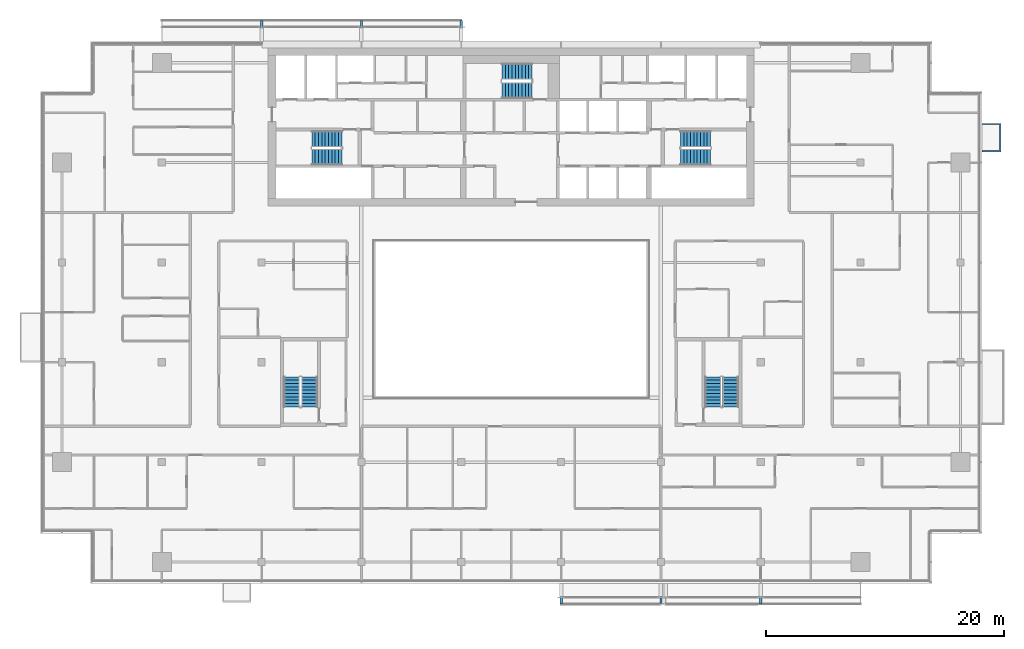
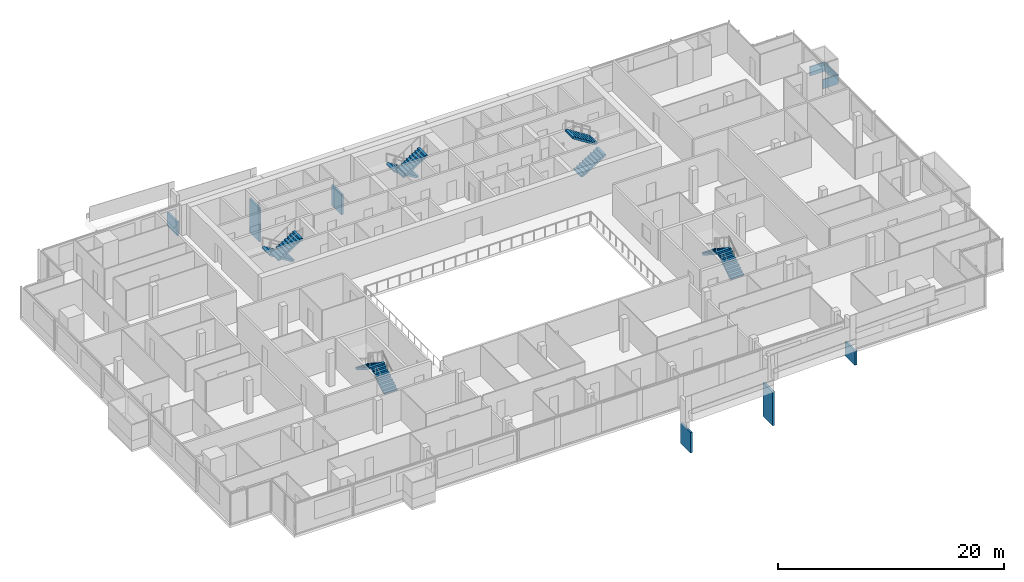
# One storey, part 24 of 27: 10 stair flights, 6 discrete accessories, 1 wall, 5 elements without a shape of their own.
"""IFC4 building model written with IfcOpenShell, lengths in metres."""

from ifc_helpers import new_model, si_unit, direction, frame, origin, origin_2d, place, context, subcontext, project, spatial, polyline, rectangle, outline, extrude, material, layer, layer_set, type_object, element, aggregate, save


model = new_model("IFC4")

# Units and contexts
model_context = context("Model", 3, precision=1e-05, world=origin(), true_north=direction((0.0, 1.0)))
body_context = subcontext(model_context, "Body", "Model", "MODEL_VIEW")
ifc_project = project(units=[si_unit("LENGTHUNIT", "METRE"), si_unit("AREAUNIT", "SQUARE_METRE"), si_unit("VOLUMEUNIT", "CUBIC_METRE"), si_unit("PLANEANGLEUNIT", "RADIAN"), si_unit("MASSUNIT", "GRAM", prefix="KILO")], contexts=[model_context])

# Site, building, storey
site_placement = place(None, origin())
site = spatial("IfcSite", under=ifc_project, at=site_placement, CompositionType="ELEMENT")
building_placement = place(site_placement, origin())
building = spatial("IfcBuilding", under=site, at=building_placement, Name="Saffron Gate Tower", CompositionType="ELEMENT")
storey_placement = place(building_placement, frame((0.0, 0.0, 234.300048828125)))
storey = spatial("IfcBuildingStorey", under=building, at=storey_placement, Name="L57", CompositionType="ELEMENT", Elevation=234.300048828125)

# Wall
ifc_material_1 = material(Name="Rendered insulated panel, white")
ifc_layer = layer(ifc_material_1, 0.10009765625)
ifc_layer_set = layer_set([ifc_layer], Name="WB3 box parapet white")
wall_type = type_object("IfcWallType", Name="WB3 box parapet white", PredefinedType="SOLIDWALL", material=ifc_layer_set)
wall_placement = place(storey_placement, origin())
element("IfcWall", 1, at=wall_placement, inside=storey, type_object=wall_type, Name="WINDOW BOX parapet", PredefinedType="SOLIDWALL", context=body_context, shape_type="SweptSolid", body=[
    extrude(outline(polyline([(127.199951171875, 66.300048828125), (127.199951171875, 66.39990234375), (128.699951171875, 66.39990234375), (128.699951171875, 68.60009765625), (127.199951171875, 68.60009765625), (127.199951171875, 68.699951171875), (128.800048828125, 68.699951171875), (128.800048828125, 66.300048828125), (127.199951171875, 66.300048828125)])), origin(), (0.0, 0.0, 1.0), 1.0),
])

# Stair, stair flights
ifc_material_2 = material(Name="Concrete C40", Category="concrete")
stair_type = type_object("IfcStairType", Name="ST7 Stair 1350 wide, 20 risers of 180", PredefinedType="HALF_TURN_STAIR", material=ifc_material_2)
stair_1_placement = place(storey_placement, origin())
stair_1 = element("IfcStair", 2, at=stair_1_placement, inside=storey, type_object=stair_type, Name="L57 Exit stair A", PredefinedType="HALF_TURN_STAIR")
stair_flight_type = type_object("IfcStairFlightType", Name="SF3 Stair flight 1350 wide, riser 180 going 280", PredefinedType="STRAIGHT", material=ifc_material_2)
stair_flight_1_placement = place(storey_placement, frame((73.35009765625, 67.375, 0.0), z_axis=(0.0, 0.0, 1.0), x_axis=(-1.0, 0.0, 0.0)))
stair_flight_1 = element("IfcStairFlight", 3, at=stair_flight_1_placement, type_object=stair_flight_type, Name="ST-A flight 1", NumberOfRisers=10, NumberOfTreads=9, PredefinedType="STRAIGHT", RiserHeight=0.18, TreadLength=0.28, context=body_context, shape_type="SweptSolid", body=[
    extrude(outline(polyline([(0.0, 0.0), (0.0, 0.179931640625), (0.280029296875, 0.179931640625), (0.280029296875, 0.360107421875), (0.56005859375, 0.360107421875), (0.56005859375, 0.5400390625), (0.840087890625, 0.5400390625), (0.840087890625, 0.719970703125), (1.1201171875, 0.719970703125), (1.1201171875, 0.89990234375), (1.39990234375, 0.89990234375), (1.39990234375, 1.080078125), (1.679931640625, 1.080078125), (1.679931640625, 1.260009765625), (1.9599609375, 1.260009765625), (1.9599609375, 1.43994140625), (2.239990234375, 1.43994140625), (2.239990234375, 1.6201171875), (2.52001953125, 1.6201171875), (2.52001953125, 1.800048828125), (2.52001953125, 1.44189453125), (0.277099609375, 0.0), (0.0, 0.0)])), frame((0.0, 0.675048828125, 0.0), z_axis=(0.0, -1.0, 0.0), x_axis=(1.0, 0.0, 0.0)), (0.0, 0.0, 1.0), 1.35009765625),
])
stair_flight_2_placement = place(storey_placement, frame((70.830078125, 65.875, 1.800048828125), z_axis=(0.0, 0.0, 1.0), x_axis=(1.0, 0.0, 0.0)))
stair_flight_2 = element("IfcStairFlight", 4, at=stair_flight_2_placement, type_object=stair_flight_type, Name="ST-A flight 2", NumberOfRisers=10, NumberOfTreads=9, PredefinedType="STRAIGHT", RiserHeight=0.18, TreadLength=0.28, context=body_context, shape_type="SweptSolid", body=[
    extrude(outline(polyline([(0.0, 0.0), (0.0, 0.179931640625), (0.280029296875, 0.179931640625), (0.280029296875, 0.360107421875), (0.56005859375, 0.360107421875), (0.56005859375, 0.5400390625), (0.840087890625, 0.5400390625), (0.840087890625, 0.719970703125), (1.1201171875, 0.719970703125), (1.1201171875, 0.89990234375), (1.39990234375, 0.89990234375), (1.39990234375, 1.080078125), (1.679931640625, 1.080078125), (1.679931640625, 1.260009765625), (1.9599609375, 1.260009765625), (1.9599609375, 1.43994140625), (2.239990234375, 1.43994140625), (2.239990234375, 1.6201171875), (2.52001953125, 1.6201171875), (2.52001953125, 1.800048828125), (2.52001953125, 1.44189453125), (0.277099609375, 0.0), (0.0, 0.0)])), frame((0.0, 0.675048828125, 0.0), z_axis=(0.0, -1.0, 0.0), x_axis=(1.0, 0.0, 0.0)), (0.0, 0.0, 1.0), 1.35009765625),
])
aggregate(stair_1, [stair_flight_1, stair_flight_2])

stair_2_placement = place(storey_placement, origin())
stair_2 = element("IfcStair", 5, at=stair_2_placement, inside=storey, type_object=stair_type, Name="L57 Exit stair B", PredefinedType="HALF_TURN_STAIR")
stair_flight_3_placement = place(storey_placement, frame((101.85009765625, 65.875, 0.0), z_axis=(0.0, 0.0, 1.0), x_axis=(1.0, 0.0, 0.0)))
stair_flight_3 = element("IfcStairFlight", 6, at=stair_flight_3_placement, type_object=stair_flight_type, Name="ST-B flight 1", NumberOfRisers=10, NumberOfTreads=9, PredefinedType="STRAIGHT", RiserHeight=0.18, TreadLength=0.28, context=body_context, shape_type="SweptSolid", body=[
    extrude(outline(polyline([(0.0, 0.0), (0.0, 0.179931640625), (0.280029296875, 0.179931640625), (0.280029296875, 0.360107421875), (0.56005859375, 0.360107421875), (0.56005859375, 0.5400390625), (0.840087890625, 0.5400390625), (0.840087890625, 0.719970703125), (1.1201171875, 0.719970703125), (1.1201171875, 0.89990234375), (1.39990234375, 0.89990234375), (1.39990234375, 1.080078125), (1.679931640625, 1.080078125), (1.679931640625, 1.260009765625), (1.9599609375, 1.260009765625), (1.9599609375, 1.43994140625), (2.239990234375, 1.43994140625), (2.239990234375, 1.6201171875), (2.52001953125, 1.6201171875), (2.52001953125, 1.800048828125), (2.52001953125, 1.44189453125), (0.277099609375, 0.0), (0.0, 0.0)])), frame((0.0, 0.675048828125, 0.0), z_axis=(0.0, -1.0, 0.0), x_axis=(1.0, 0.0, 0.0)), (0.0, 0.0, 1.0), 1.35009765625),
])
stair_flight_4_placement = place(storey_placement, frame((104.3701171875, 67.375, 1.800048828125), z_axis=(0.0, 0.0, 1.0), x_axis=(-1.0, 0.0, 0.0)))
stair_flight_4 = element("IfcStairFlight", 7, at=stair_flight_4_placement, type_object=stair_flight_type, Name="ST-B flight 2", NumberOfRisers=10, NumberOfTreads=9, PredefinedType="STRAIGHT", RiserHeight=0.18, TreadLength=0.28, context=body_context, shape_type="SweptSolid", body=[
    extrude(outline(polyline([(0.0, 0.0), (0.0, 0.179931640625), (0.280029296875, 0.179931640625), (0.280029296875, 0.360107421875), (0.56005859375, 0.360107421875), (0.56005859375, 0.5400390625), (0.840087890625, 0.5400390625), (0.840087890625, 0.719970703125), (1.1201171875, 0.719970703125), (1.1201171875, 0.89990234375), (1.39990234375, 0.89990234375), (1.39990234375, 1.080078125), (1.679931640625, 1.080078125), (1.679931640625, 1.260009765625), (1.9599609375, 1.260009765625), (1.9599609375, 1.43994140625), (2.239990234375, 1.43994140625), (2.239990234375, 1.6201171875), (2.52001953125, 1.6201171875), (2.52001953125, 1.800048828125), (2.52001953125, 1.44189453125), (0.277099609375, 0.0), (0.0, 0.0)])), frame((0.0, 0.675048828125, 0.0), z_axis=(0.0, -1.0, 0.0), x_axis=(1.0, 0.0, 0.0)), (0.0, 0.0, 1.0), 1.35009765625),
])
aggregate(stair_2, [stair_flight_3, stair_flight_4])

stair_3_placement = place(storey_placement, origin())
stair_3 = element("IfcStair", 8, at=stair_3_placement, inside=storey, type_object=stair_type, Name="L57 Exit stair C", PredefinedType="HALF_TURN_STAIR")
stair_flight_5_placement = place(storey_placement, frame((89.35009765625, 73.074951171875, 0.0), z_axis=(0.0, 0.0, 1.0), x_axis=(-1.0, 0.0, 0.0)))
stair_flight_5 = element("IfcStairFlight", 9, at=stair_flight_5_placement, type_object=stair_flight_type, Name="ST-C flight 1", NumberOfRisers=10, NumberOfTreads=9, PredefinedType="STRAIGHT", RiserHeight=0.18, TreadLength=0.28, context=body_context, shape_type="SweptSolid", body=[
    extrude(outline(polyline([(0.0, 0.0), (0.0, 0.179931640625), (0.280029296875, 0.179931640625), (0.280029296875, 0.360107421875), (0.56005859375, 0.360107421875), (0.56005859375, 0.5400390625), (0.840087890625, 0.5400390625), (0.840087890625, 0.719970703125), (1.1201171875, 0.719970703125), (1.1201171875, 0.89990234375), (1.39990234375, 0.89990234375), (1.39990234375, 1.080078125), (1.679931640625, 1.080078125), (1.679931640625, 1.260009765625), (1.9599609375, 1.260009765625), (1.9599609375, 1.43994140625), (2.239990234375, 1.43994140625), (2.239990234375, 1.6201171875), (2.52001953125, 1.6201171875), (2.52001953125, 1.800048828125), (2.52001953125, 1.44189453125), (0.277099609375, 0.0), (0.0, 0.0)])), frame((0.0, 0.675048828125, 0.0), z_axis=(0.0, -1.0, 0.0), x_axis=(1.0, 0.0, 0.0)), (0.0, 0.0, 1.0), 1.35009765625),
])
stair_flight_6_placement = place(storey_placement, frame((86.830078125, 71.47509765625, 1.800048828125), z_axis=(0.0, 0.0, 1.0), x_axis=(1.0, 0.0, 0.0)))
stair_flight_6 = element("IfcStairFlight", 10, at=stair_flight_6_placement, type_object=stair_flight_type, Name="ST-C flight 2", NumberOfRisers=10, NumberOfTreads=9, PredefinedType="STRAIGHT", RiserHeight=0.18, TreadLength=0.28, context=body_context, shape_type="SweptSolid", body=[
    extrude(outline(polyline([(0.0, 0.0), (0.0, 0.179931640625), (0.280029296875, 0.179931640625), (0.280029296875, 0.360107421875), (0.56005859375, 0.360107421875), (0.56005859375, 0.5400390625), (0.840087890625, 0.5400390625), (0.840087890625, 0.719970703125), (1.1201171875, 0.719970703125), (1.1201171875, 0.89990234375), (1.39990234375, 0.89990234375), (1.39990234375, 1.080078125), (1.679931640625, 1.080078125), (1.679931640625, 1.260009765625), (1.9599609375, 1.260009765625), (1.9599609375, 1.43994140625), (2.239990234375, 1.43994140625), (2.239990234375, 1.6201171875), (2.52001953125, 1.6201171875), (2.52001953125, 1.800048828125), (2.52001953125, 1.44189453125), (0.277099609375, 0.0), (0.0, 0.0)])), frame((0.0, 0.675048828125, 0.0), z_axis=(0.0, -1.0, 0.0), x_axis=(1.0, 0.0, 0.0)), (0.0, 0.0, 1.0), 1.35009765625),
])
aggregate(stair_3, [stair_flight_5, stair_flight_6])

stair_4_placement = place(storey_placement, origin())
stair_4 = element("IfcStair", 11, at=stair_4_placement, inside=storey, type_object=stair_type, Name="L57 Exit stair D", PredefinedType="HALF_TURN_STAIR")
stair_flight_7_placement = place(storey_placement, frame((70.625, 44.85009765625, 0.0), z_axis=(0.0, 0.0, 1.0), x_axis=(0.0, 1.0, 0.0)))
stair_flight_7 = element("IfcStairFlight", 12, at=stair_flight_7_placement, type_object=stair_flight_type, Name="ST-D flight 1", NumberOfRisers=10, NumberOfTreads=9, PredefinedType="STRAIGHT", RiserHeight=0.18, TreadLength=0.28, context=body_context, shape_type="SweptSolid", body=[
    extrude(outline(polyline([(0.0, 0.0), (0.0, 0.179931640625), (0.280029296875, 0.179931640625), (0.280029296875, 0.360107421875), (0.56005859375, 0.360107421875), (0.56005859375, 0.5400390625), (0.840087890625, 0.5400390625), (0.840087890625, 0.719970703125), (1.1201171875, 0.719970703125), (1.1201171875, 0.89990234375), (1.39990234375, 0.89990234375), (1.39990234375, 1.080078125), (1.679931640625, 1.080078125), (1.679931640625, 1.260009765625), (1.9599609375, 1.260009765625), (1.9599609375, 1.43994140625), (2.239990234375, 1.43994140625), (2.239990234375, 1.6201171875), (2.52001953125, 1.6201171875), (2.52001953125, 1.800048828125), (2.52001953125, 1.44189453125), (0.277099609375, 0.0), (0.0, 0.0)])), frame((0.0, 0.675048828125, 0.0), z_axis=(0.0, -1.0, 0.0), x_axis=(1.0, 0.0, 0.0)), (0.0, 0.0, 1.0), 1.35009765625),
])
stair_flight_8_placement = place(storey_placement, frame((69.125, 47.3701171875, 1.800048828125), z_axis=(0.0, 0.0, 1.0), x_axis=(0.0, -1.0, 0.0)))
stair_flight_8 = element("IfcStairFlight", 13, at=stair_flight_8_placement, type_object=stair_flight_type, Name="ST-D flight 2", NumberOfRisers=10, NumberOfTreads=9, PredefinedType="STRAIGHT", RiserHeight=0.18, TreadLength=0.28, context=body_context, shape_type="SweptSolid", body=[
    extrude(outline(polyline([(0.0, 0.0), (0.0, 0.179931640625), (0.280029296875, 0.179931640625), (0.280029296875, 0.360107421875), (0.56005859375, 0.360107421875), (0.56005859375, 0.5400390625), (0.840087890625, 0.5400390625), (0.840087890625, 0.719970703125), (1.1201171875, 0.719970703125), (1.1201171875, 0.89990234375), (1.39990234375, 0.89990234375), (1.39990234375, 1.080078125), (1.679931640625, 1.080078125), (1.679931640625, 1.260009765625), (1.9599609375, 1.260009765625), (1.9599609375, 1.43994140625), (2.239990234375, 1.43994140625), (2.239990234375, 1.6201171875), (2.52001953125, 1.6201171875), (2.52001953125, 1.800048828125), (2.52001953125, 1.44189453125), (0.277099609375, 0.0), (0.0, 0.0)])), frame((0.0, 0.675048828125, 0.0), z_axis=(0.0, -1.0, 0.0), x_axis=(1.0, 0.0, 0.0)), (0.0, 0.0, 1.0), 1.35009765625),
])
aggregate(stair_4, [stair_flight_7, stair_flight_8])

stair_5_placement = place(storey_placement, origin())
stair_5 = element("IfcStair", 14, at=stair_5_placement, inside=storey, type_object=stair_type, Name="L57 Exit stair E", PredefinedType="HALF_TURN_STAIR")
stair_flight_9_placement = place(storey_placement, frame((106.074951171875, 44.85009765625, 0.0), z_axis=(0.0, 0.0, 1.0), x_axis=(0.0, 1.0, 0.0)))
stair_flight_9 = element("IfcStairFlight", 15, at=stair_flight_9_placement, type_object=stair_flight_type, Name="ST-E flight 1", NumberOfRisers=10, NumberOfTreads=9, PredefinedType="STRAIGHT", RiserHeight=0.18, TreadLength=0.28, context=body_context, shape_type="SweptSolid", body=[
    extrude(outline(polyline([(0.0, 0.0), (0.0, 0.179931640625), (0.280029296875, 0.179931640625), (0.280029296875, 0.360107421875), (0.56005859375, 0.360107421875), (0.56005859375, 0.5400390625), (0.840087890625, 0.5400390625), (0.840087890625, 0.719970703125), (1.1201171875, 0.719970703125), (1.1201171875, 0.89990234375), (1.39990234375, 0.89990234375), (1.39990234375, 1.080078125), (1.679931640625, 1.080078125), (1.679931640625, 1.260009765625), (1.9599609375, 1.260009765625), (1.9599609375, 1.43994140625), (2.239990234375, 1.43994140625), (2.239990234375, 1.6201171875), (2.52001953125, 1.6201171875), (2.52001953125, 1.800048828125), (2.52001953125, 1.44189453125), (0.277099609375, 0.0), (0.0, 0.0)])), frame((0.0, 0.675048828125, 0.0), z_axis=(0.0, -1.0, 0.0), x_axis=(1.0, 0.0, 0.0)), (0.0, 0.0, 1.0), 1.35009765625),
])
stair_flight_10_placement = place(storey_placement, frame((104.574951171875, 47.3701171875, 1.800048828125), z_axis=(0.0, 0.0, 1.0), x_axis=(0.0, -1.0, 0.0)))
stair_flight_10 = element("IfcStairFlight", 16, at=stair_flight_10_placement, type_object=stair_flight_type, Name="ST-E flight 2", NumberOfRisers=10, NumberOfTreads=9, PredefinedType="STRAIGHT", RiserHeight=0.18, TreadLength=0.28, context=body_context, shape_type="SweptSolid", body=[
    extrude(outline(polyline([(0.0, 0.0), (0.0, 0.179931640625), (0.280029296875, 0.179931640625), (0.280029296875, 0.360107421875), (0.56005859375, 0.360107421875), (0.56005859375, 0.5400390625), (0.840087890625, 0.5400390625), (0.840087890625, 0.719970703125), (1.1201171875, 0.719970703125), (1.1201171875, 0.89990234375), (1.39990234375, 0.89990234375), (1.39990234375, 1.080078125), (1.679931640625, 1.080078125), (1.679931640625, 1.260009765625), (1.9599609375, 1.260009765625), (1.9599609375, 1.43994140625), (2.239990234375, 1.43994140625), (2.239990234375, 1.6201171875), (2.52001953125, 1.6201171875), (2.52001953125, 1.800048828125), (2.52001953125, 1.44189453125), (0.277099609375, 0.0), (0.0, 0.0)])), frame((0.0, 0.675048828125, 0.0), z_axis=(0.0, -1.0, 0.0), x_axis=(1.0, 0.0, 0.0)), (0.0, 0.0, 1.0), 1.35009765625),
])
aggregate(stair_5, [stair_flight_9, stair_flight_10])

# Discrete accessories
discrete_accessory_1_placement = place(storey_placement, frame((83.39990234375, 76.47509765625, -3.8798828125), z_axis=(0.0, 0.0, 1.0), x_axis=(-1.0, 0.0, 0.0)))
element("IfcDiscreteAccessory", 17, at=discrete_accessory_1_placement, inside=storey, Name="LEDGE rib", PredefinedType="BRACKET", context=body_context, shape_type="SweptSolid", body=[
    extrude(rectangle(XDim=0.199951171875, YDim=1.75, at=origin_2d()), origin(), (0.0, 0.0, 1.0), 2.208251953125),
])
discrete_accessory_2_placement = place(storey_placement, frame((75.0, 76.47509765625, -3.8798828125), z_axis=(0.0, 0.0, 1.0), x_axis=(-1.0, 0.0, 0.0)))
element("IfcDiscreteAccessory", 18, at=discrete_accessory_2_placement, inside=storey, Name="LEDGE rib", PredefinedType="BRACKET", context=body_context, shape_type="SweptSolid", body=[
    extrude(rectangle(XDim=0.199951171875, YDim=1.75, at=origin_2d()), origin(), (0.0, 0.0, 1.0), 3.650634765625),
])
discrete_accessory_3_placement = place(storey_placement, frame((66.60009765625, 76.47509765625, -0.2802734375), z_axis=(0.0, 0.0, 1.0), x_axis=(-1.0, 0.0, 0.0)))
element("IfcDiscreteAccessory", 19, at=discrete_accessory_3_placement, inside=storey, Name="LEDGE rib", PredefinedType="BRACKET", context=body_context, shape_type="SweptSolid", body=[
    extrude(rectangle(XDim=0.199951171875, YDim=1.75, at=origin_2d()), origin(), (0.0, 0.0, 1.0), 1.492919921875),
])
discrete_accessory_4_placement = place(storey_placement, frame((91.800048828125, 29.125, -3.8798828125), z_axis=(0.0, 0.0, 1.0), x_axis=(1.0, 0.0, 0.0)))
element("IfcDiscreteAccessory", 20, at=discrete_accessory_4_placement, inside=storey, Name="LEDGE rib", PredefinedType="BRACKET", context=body_context, shape_type="SweptSolid", body=[
    extrude(rectangle(XDim=0.199951171875, YDim=1.75, at=origin_2d()), origin(), (0.0, 0.0, 1.0), 2.208251953125),
])
discrete_accessory_5_placement = place(storey_placement, frame((100.199951171875, 29.125, -3.8798828125), z_axis=(0.0, 0.0, 1.0), x_axis=(1.0, 0.0, 0.0)))
element("IfcDiscreteAccessory", 21, at=discrete_accessory_5_placement, inside=storey, Name="LEDGE rib", PredefinedType="BRACKET", context=body_context, shape_type="SweptSolid", body=[
    extrude(rectangle(XDim=0.199951171875, YDim=1.75, at=origin_2d()), origin(), (0.0, 0.0, 1.0), 3.650634765625),
])
discrete_accessory_6_placement = place(storey_placement, frame((108.60009765625, 29.125, -0.2802734375), z_axis=(0.0, 0.0, 1.0), x_axis=(1.0, 0.0, 0.0)))
element("IfcDiscreteAccessory", 22, at=discrete_accessory_6_placement, inside=storey, Name="LEDGE rib", PredefinedType="BRACKET", context=body_context, shape_type="SweptSolid", body=[
    extrude(rectangle(XDim=0.199951171875, YDim=1.75, at=origin_2d()), origin(), (0.0, 0.0, 1.0), 1.550048828125),
])

save(model, "model.ifc")
